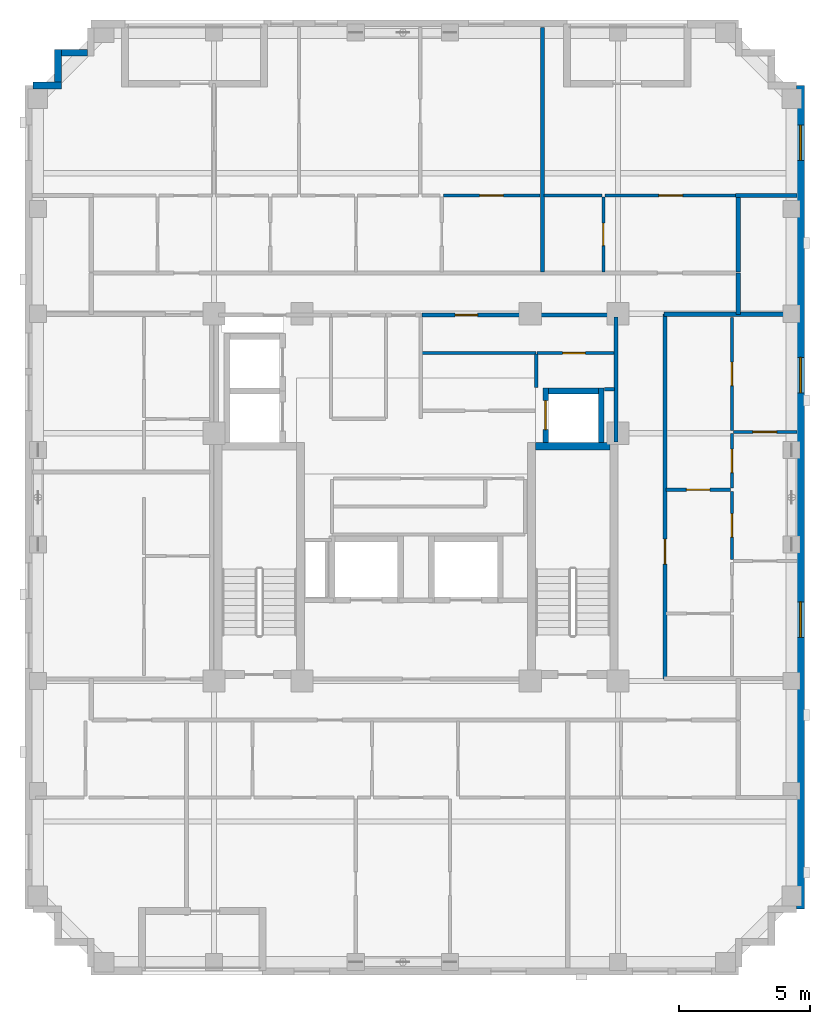
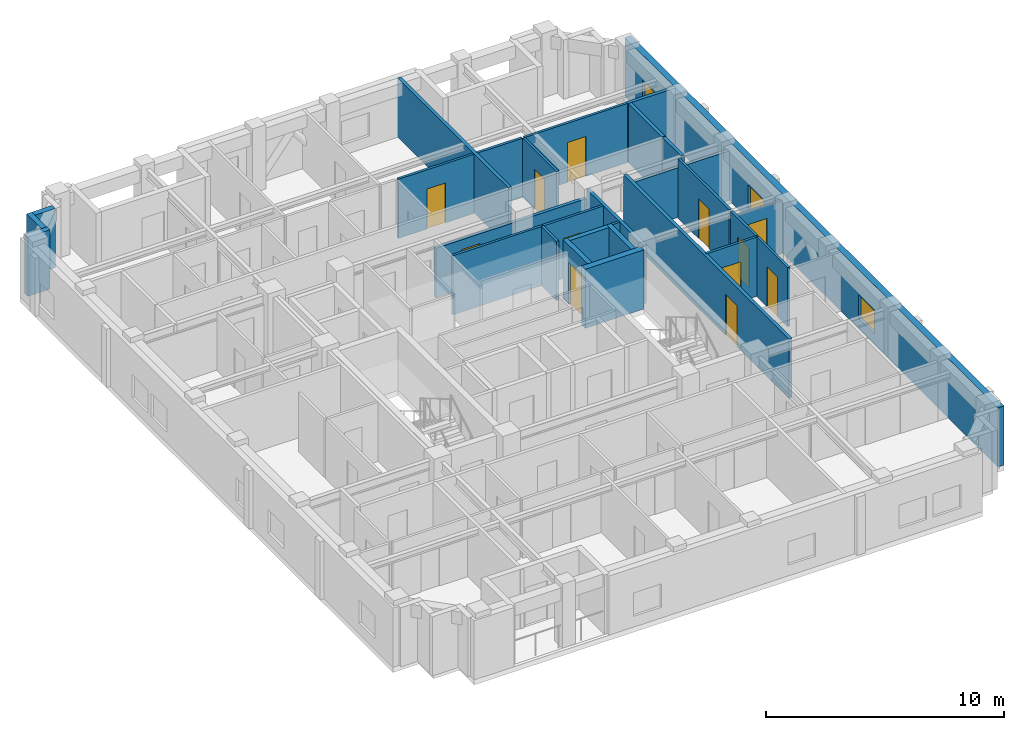
# One storey, part 6 of 10: 29 walls, 12 doors, 3 windows, 15 openings.
"""IFC4 building model written with IfcOpenShell, lengths in metres."""

from ifc_helpers import new_model, si_unit, derived_unit, direction, frame, frame_2d, origin, place, context, subcontext, project, spatial, rectangle, extrude, material, layer, layer_set, type_object, element, fill, save


model = new_model("IFC4")

# Units and contexts
model_context = context("Model", 3, precision=1e-05, world=origin(), true_north=direction((0.0, 1.0)))
body_context = subcontext(model_context, "Body", "Model", "MODEL_VIEW")
ifc_project = project(units=[si_unit("LENGTHUNIT", "METRE"), si_unit("AREAUNIT", "SQUARE_METRE"), si_unit("VOLUMEUNIT", "CUBIC_METRE"), si_unit("PLANEANGLEUNIT", "RADIAN"), si_unit("MASSUNIT", "GRAM", prefix="KILO"), derived_unit("THERMALTRANSMITTANCEUNIT", [(si_unit("MASSUNIT", "GRAM", prefix="KILO"), 1), (si_unit("TIMEUNIT", "SECOND"), -3), (si_unit("THERMODYNAMICTEMPERATUREUNIT", "KELVIN"), -1)])], contexts=[model_context])

# Site, building, storey
site_placement = place(None, origin())
site = spatial("IfcSite", under=ifc_project, at=site_placement, CompositionType="ELEMENT")
building_placement = place(site_placement, origin())
building = spatial("IfcBuilding", under=site, at=building_placement, Name="Korrvale Station Residences", CompositionType="ELEMENT")
storey_placement = place(building_placement, frame((0.0, 0.0, 200.800048828125)))
storey = spatial("IfcBuildingStorey", under=building, at=storey_placement, Name="L58", CompositionType="ELEMENT", Elevation=200.800048828125)

# Walls
ifc_material_1 = material(Name="Concrete C50/60", Category="concrete")
ifc_layer_1 = layer(ifc_material_1, 0.300048828125, Name="Concrete C50/60")
ifc_layer_set_1 = layer_set([ifc_layer_1], Name="Concrete C50/60")
wall_type_1 = type_object("IfcWallType", Name="WAL-CORE-300-C50", PredefinedType="SHEAR", material=ifc_layer_set_1)
wall_1_placement = place(storey_placement, frame((30.050048828125, 23.949951171875, 0.0), z_axis=(0.0, 0.0, 1.0), x_axis=(1.0, 0.0, 0.0)))
element("IfcWall", 1, at=wall_1_placement, inside=storey, type_object=wall_type_1, Name="L58 ST-2 Core Shear Wall North", PredefinedType="SHEAR", context=body_context, shape_type="SweptSolid", body=[
    extrude(rectangle(XDim=2.849853515625, YDim=0.300048828125, at=frame_2d((1.4248046875, 0.0))), origin(), (0.0, 0.0, 1.0), 3.0400390625),
])
ifc_material_2 = material(Name="Precast concrete C45/55", Category="concrete")
ifc_layer_2 = layer(ifc_material_2, 0.260009765625, Name="Precast concrete C45/55")
ifc_layer_set_2 = layer_set([ifc_layer_2], Name="Precast concrete C45/55")
wall_type_2 = type_object("IfcWallType", Name="WAL-EXT-LOG260", PredefinedType="SOLIDWALL", material=ifc_layer_set_2)
wall_2_placement = place(storey_placement, frame((10.902099609375, 37.699951171875, 0.0), z_axis=(0.0, 0.0, 1.0), x_axis=(1.0, 0.0, 0.0)))
element("IfcWall", 2, at=wall_2_placement, inside=storey, type_object=wall_type_2, Name="L58 Serrated Corner Precast Step NW-1", PredefinedType="SOLIDWALL", context=body_context, shape_type="SweptSolid", body=[
    extrude(rectangle(XDim=1.077880859375, YDim=0.260009765625, at=frame_2d((0.5390625, 0.0))), origin(), (0.0, 0.0, 1.0), 3.0400390625),
])
wall_3_placement = place(storey_placement, frame((11.85009765625, 37.83203125, 0.0), z_axis=(0.0, 0.0, 1.0), x_axis=(0.0, 1.0, 0.0)))
element("IfcWall", 3, at=wall_3_placement, inside=storey, type_object=wall_type_2, Name="L58 Serrated Corner Precast Step NW-2", PredefinedType="SOLIDWALL", context=body_context, shape_type="SweptSolid", body=[
    extrude(rectangle(XDim=1.248046875, YDim=0.260009765625, at=frame_2d((0.6240234375, 0.0))), origin(), (0.0, 0.0, 1.0), 3.0400390625),
])
wall_4_placement = place(storey_placement, frame((11.98193359375, 38.949951171875, 0.0), z_axis=(0.0, 0.0, 1.0), x_axis=(1.0, 0.0, 0.0)))
element("IfcWall", 4, at=wall_4_placement, inside=storey, type_object=wall_type_2, Name="L58 Serrated Corner Precast Step NW-3", PredefinedType="SOLIDWALL", context=body_context, shape_type="SweptSolid", body=[
    extrude(rectangle(XDim=0.986083984375, YDim=0.260009765625, at=frame_2d((0.4931640625, 0.0))), origin(), (0.0, 0.0, 1.0), 3.0400390625),
])

# Wall, openings, windows
ifc_layer_3 = layer(ifc_material_2, 0.300048828125, Name="Precast concrete C45/55")
ifc_layer_set_3 = layer_set([ifc_layer_3], Name="Precast concrete C45/55")
wall_type_3 = type_object("IfcWallType", Name="WAL-EXT-PC300", PredefinedType="SOLIDWALL", material=ifc_layer_set_3)
wall_5_placement = place(storey_placement, frame((40.14990234375, 37.699951171875, 0.0), z_axis=(0.0, 0.0, 1.0), x_axis=(0.0, -1.0, 0.0)))
wall_5 = element("IfcWall", 5, at=wall_5_placement, inside=storey, type_object=wall_type_3, Name="L58 East Exterior Precast Wall 1", PredefinedType="SOLIDWALL", context=body_context, shape_type="SweptSolid", body=[
    extrude(rectangle(XDim=31.39990234375, YDim=0.300048828125, at=frame_2d((15.699951171875, 0.0))), origin(), (0.0, 0.0, 1.0), 3.0400390625),
])
opening_1_placement = place(wall_5_placement, frame((1.50390625, 0.0, 0.550048828125)))
opening_1 = element("IfcOpeningElement", 6, at=opening_1_placement, cuts=wall_5, Name="Opening W-10", PredefinedType="OPENING", context=body_context, shape_type="SweptSolid", body=[
    extrude(rectangle(XDim=1.35009765625, YDim=1.199951171875, at=frame_2d((0.675048828125, 0.60009765625))), frame((0.0, 0.16015625, 0.0), z_axis=(0.0, -1.0, 0.0), x_axis=(1.0, 0.0, 0.0)), (0.0, 0.0, 1.0), 0.320068359375),
])
opening_2_placement = place(wall_5_placement, frame((19.68310546875, 0.0, 0.550048828125)))
opening_2 = element("IfcOpeningElement", 7, at=opening_2_placement, cuts=wall_5, Name="Opening W-10", PredefinedType="OPENING", context=body_context, shape_type="SweptSolid", body=[
    extrude(rectangle(XDim=1.35009765625, YDim=1.199951171875, at=frame_2d((0.675048828125, 0.60009765625))), frame((0.0, 0.16015625, 0.0), z_axis=(0.0, -1.0, 0.0), x_axis=(1.0, 0.0, 0.0)), (0.0, 0.0, 1.0), 0.320068359375),
])
opening_3_placement = place(wall_5_placement, frame((10.366943359375, 0.0, 0.550048828125)))
opening_3 = element("IfcOpeningElement", 8, at=opening_3_placement, cuts=wall_5, Name="Opening W-10", PredefinedType="OPENING", context=body_context, shape_type="SweptSolid", body=[
    extrude(rectangle(XDim=1.35009765625, YDim=1.199951171875, at=frame_2d((0.675048828125, 0.60009765625))), frame((0.0, 0.16015625, 0.0), z_axis=(0.0, -1.0, 0.0), x_axis=(1.0, 0.0, 0.0)), (0.0, 0.0, 1.0), 0.320068359375),
])
ifc_material_3 = material(Name="Thermally broken aluminium frame with triple low-e glazing", Category="aluminium")
window_type = type_object("IfcWindowType", Name="WIN-W10", PartitioningType="SINGLE_PANEL", PredefinedType="WINDOW", material=ifc_material_3)
window_1_placement = place(opening_1_placement, origin())
window_1 = element("IfcWindow", 9, at=window_1_placement, inside=storey, type_object=window_type, Name="L58 Punched Window 10", OverallHeight=1.199951171875, OverallWidth=1.35009765625, PartitioningType="SINGLE_PANEL", PredefinedType="WINDOW", context=body_context, shape_type="SweptSolid", body=[
    extrude(rectangle(XDim=1.35009765625, YDim=1.199951171875, at=frame_2d((0.675048828125, 0.60009765625))), frame((0.0, 0.030029296875, 0.0), z_axis=(0.0, -1.0, 0.0), x_axis=(1.0, 0.0, 0.0)), (0.0, 0.0, 1.0), 0.06005859375),
])
fill(opening_1, window_1)
window_2_placement = place(opening_2_placement, origin())
window_2 = element("IfcWindow", 10, at=window_2_placement, inside=storey, type_object=window_type, Name="L58 Punched Window 15", OverallHeight=1.199951171875, OverallWidth=1.35009765625, PartitioningType="SINGLE_PANEL", PredefinedType="WINDOW", context=body_context, shape_type="SweptSolid", body=[
    extrude(rectangle(XDim=1.35009765625, YDim=1.199951171875, at=frame_2d((0.675048828125, 0.60009765625))), frame((0.0, 0.030029296875, 0.0), z_axis=(0.0, -1.0, 0.0), x_axis=(1.0, 0.0, 0.0)), (0.0, 0.0, 1.0), 0.06005859375),
])
fill(opening_2, window_2)
window_3_placement = place(opening_3_placement, origin())
window_3 = element("IfcWindow", 11, at=window_3_placement, inside=storey, type_object=window_type, Name="L58 Punched Window 16", OverallHeight=1.199951171875, OverallWidth=1.35009765625, PartitioningType="SINGLE_PANEL", PredefinedType="WINDOW", context=body_context, shape_type="SweptSolid", body=[
    extrude(rectangle(XDim=1.35009765625, YDim=1.199951171875, at=frame_2d((0.675048828125, 0.60009765625))), frame((0.0, 0.030029296875, 0.0), z_axis=(0.0, -1.0, 0.0), x_axis=(1.0, 0.0, 0.0)), (0.0, 0.0, 1.0), 0.06005859375),
])
fill(opening_3, window_3)

# Walls
ifc_material_4 = material(Name="Acoustic steel-stud gypsum board partition", Category="steel")
ifc_layer_4 = layer(ifc_material_4, 0.1201171875, Name="Acoustic steel-stud gypsum board partition")
ifc_layer_set_4 = layer_set([ifc_layer_4], Name="Acoustic steel-stud gypsum board partition")
wall_type_4 = type_object("IfcWallType", Name="WAL-PART-125", PredefinedType="PARTITIONING", material=ifc_layer_set_4)
wall_6_placement = place(storey_placement, frame((30.080078125, 26.179931640625, 0.0), z_axis=(0.0, 0.0, 1.0), x_axis=(0.0, 1.0, 0.0)))
element("IfcWall", 12, at=wall_6_placement, inside=storey, type_object=wall_type_4, Name="L58 Core Partition CW-CS-W", PredefinedType="PARTITIONING", context=body_context, shape_type="SweptSolid", body=[
    extrude(rectangle(XDim=1.280029296875, YDim=0.1201171875, at=frame_2d((0.64013671875, 0.0))), origin(), (0.0, 0.0, 1.0), 3.0400390625),
])
wall_7_placement = place(storey_placement, frame((32.679931640625, 26.1201171875, 0.0), z_axis=(0.0, 0.0, 1.0), x_axis=(1.0, 0.0, 0.0)))
element("IfcWall", 13, at=wall_7_placement, inside=storey, type_object=wall_type_4, Name="L58 Core Partition CW-CS-S", PredefinedType="PARTITIONING", context=body_context, shape_type="SweptSolid", body=[
    extrude(rectangle(XDim=0.380126953125, YDim=0.1201171875, at=frame_2d((0.18994140625, 0.0))), origin(), (0.0, 0.0, 1.0), 3.0400390625),
])

# Wall, opening, door
wall_8_placement = place(storey_placement, frame((30.1201171875, 27.5, 0.0), z_axis=(0.0, 0.0, 1.0), x_axis=(1.0, 0.0, 0.0)))
wall_8 = element("IfcWall", 14, at=wall_8_placement, inside=storey, type_object=wall_type_4, Name="L58 Core Partition CW-CS-H", PredefinedType="PARTITIONING", context=body_context, shape_type="SweptSolid", body=[
    extrude(rectangle(XDim=2.919921875, YDim=0.1201171875, at=frame_2d((1.4599609375, 0.0))), origin(), (0.0, 0.0, 1.0), 3.0400390625),
])
opening_4_placement = place(wall_8_placement, frame((0.969970703125, 0.0, 0.0)))
opening_4 = element("IfcOpeningElement", 15, at=opening_4_placement, cuts=wall_8, Name="Opening DB-860", PredefinedType="OPENING", context=body_context, shape_type="SweptSolid", body=[
    extrude(rectangle(XDim=0.860107421875, YDim=2.050048828125, at=frame_2d((0.43017578125, 1.02490234375))), frame((0.0, 0.070068359375, 0.0), z_axis=(0.0, -1.0, 0.0), x_axis=(1.0, 0.0, 0.0)), (0.0, 0.0, 1.0), 0.14013671875),
])
ifc_material_5 = material(Name="Moisture-resistant solid-core bathroom door", Category="timber")
door_type_1 = type_object("IfcDoorType", Name="DR-BATH-860", OperationType="NOTDEFINED", PredefinedType="DOOR", material=ifc_material_5)
door_1_placement = place(opening_4_placement, origin())
door_1 = element("IfcDoor", 16, at=door_1_placement, inside=storey, type_object=door_type_1, Name="L58 Mail Sorting Inner Door", OperationType="SINGLE_SWING_LEFT", OverallHeight=2.050048828125, OverallWidth=0.860107421875, PredefinedType="DOOR", context=body_context, shape_type="SweptSolid", body=[
    extrude(rectangle(XDim=0.860107421875, YDim=2.050048828125, at=frame_2d((0.43017578125, 1.02490234375))), frame((0.0, 0.02490234375, 0.0), z_axis=(0.0, -1.0, 0.0), x_axis=(1.0, 0.0, 0.0)), (0.0, 0.0, 1.0), 0.050048828125),
])
fill(opening_4, door_1)

# Wall
wall_9_placement = place(storey_placement, frame((25.719970703125, 27.5, 0.0), z_axis=(0.0, 0.0, 1.0), x_axis=(1.0, 0.0, 0.0)))
element("IfcWall", 17, at=wall_9_placement, inside=storey, type_object=wall_type_4, Name="L58 Core Partition CW-FPLE-H", PredefinedType="PARTITIONING", context=body_context, shape_type="SweptSolid", body=[
    extrude(rectangle(XDim=4.360107421875, YDim=0.1201171875, at=frame_2d((2.18017578125, 0.0))), origin(), (0.0, 0.0, 1.0), 3.0400390625),
])

# Wall, opening, door
wall_10_placement = place(storey_placement, frame((26.5400390625, 33.510009765625, 0.0), z_axis=(0.0, 0.0, 1.0), x_axis=(1.0, 0.0, 0.0)))
wall_10 = element("IfcWall", 18, at=wall_10_placement, inside=storey, type_object=wall_type_4, Name="L58 Suite Partition U04-H48", PredefinedType="PARTITIONING", context=body_context, shape_type="SweptSolid", body=[
    extrude(rectangle(XDim=3.677001953125, YDim=0.1201171875, at=frame_2d((1.83837890625, 0.0))), origin(), (0.0, 0.0, 1.0), 3.0400390625),
])
opening_5_placement = place(wall_10_placement, frame((1.387939453125, 0.0, 0.0)))
opening_5 = element("IfcOpeningElement", 19, at=opening_5_placement, cuts=wall_10, Name="Opening DI-900", PredefinedType="OPENING", context=body_context, shape_type="SweptSolid", body=[
    extrude(rectangle(XDim=0.89990234375, YDim=2.050048828125, at=frame_2d((0.449951171875, 1.02490234375))), frame((0.0, 0.070068359375, 0.0), z_axis=(0.0, -1.0, 0.0), x_axis=(1.0, 0.0, 0.0)), (0.0, 0.0, 1.0), 0.14013671875),
])
ifc_material_6 = material(Name="Painted solid-core timber interior room door", Category="wood")
door_type_2 = type_object("IfcDoorType", Name="DR-INT-900", OperationType="NOTDEFINED", PredefinedType="DOOR", material=ifc_material_6)
door_2_placement = place(opening_5_placement, origin())
door_2 = element("IfcDoor", 20, at=door_2_placement, inside=storey, type_object=door_type_2, Name="L58 Apartment 2BR L58-U04 Wardrobe Storage Room Door", OperationType="SINGLE_SWING_LEFT", OverallHeight=2.050048828125, OverallWidth=0.89990234375, PredefinedType="DOOR", context=body_context, shape_type="SweptSolid", body=[
    extrude(rectangle(XDim=0.89990234375, YDim=2.050048828125, at=frame_2d((0.449951171875, 1.02490234375))), frame((0.0, 0.02490234375, 0.0), z_axis=(0.0, -1.0, 0.0), x_axis=(1.0, 0.0, 0.0)), (0.0, 0.0, 1.0), 0.050048828125),
])
fill(opening_5, door_2)

wall_11_placement = place(storey_placement, frame((32.639892578125, 30.60009765625, 0.0), z_axis=(0.0, 0.0, 1.0), x_axis=(0.0, 1.0, 0.0)))
wall_11 = element("IfcWall", 21, at=wall_11_placement, inside=storey, type_object=wall_type_4, Name="L58 Suite Partition U05-V01", PredefinedType="PARTITIONING", context=body_context, shape_type="SweptSolid", body=[
    extrude(rectangle(XDim=2.849853515625, YDim=0.1201171875, at=frame_2d((1.4248046875, 0.0))), origin(), (0.0, 0.0, 1.0), 3.0400390625),
])
opening_6_placement = place(wall_11_placement, frame((0.9951171875, 0.0, 0.0)))
opening_6 = element("IfcOpeningElement", 22, at=opening_6_placement, cuts=wall_11, Name="Opening DB-860", PredefinedType="OPENING", context=body_context, shape_type="SweptSolid", body=[
    extrude(rectangle(XDim=0.860107421875, YDim=2.050048828125, at=frame_2d((0.43017578125, 1.02490234375))), frame((0.0, 0.070068359375, 0.0), z_axis=(0.0, -1.0, 0.0), x_axis=(1.0, 0.0, 0.0)), (0.0, 0.0, 1.0), 0.14013671875),
])
door_3_placement = place(opening_6_placement, origin())
door_3 = element("IfcDoor", 23, at=door_3_placement, inside=storey, type_object=door_type_1, Name="L58 Studio Apartment L58-U05 Bathroom Door", OperationType="SINGLE_SWING_LEFT", OverallHeight=2.050048828125, OverallWidth=0.860107421875, PredefinedType="DOOR", context=body_context, shape_type="SweptSolid", body=[
    extrude(rectangle(XDim=0.860107421875, YDim=2.050048828125, at=frame_2d((0.43017578125, 1.02490234375))), frame((0.0, 0.02490234375, 0.0), z_axis=(0.0, -1.0, 0.0), x_axis=(1.0, 0.0, 0.0)), (0.0, 0.0, 1.0), 0.050048828125),
])
fill(opening_6, door_3)

# Wall
wall_12_placement = place(storey_placement, frame((30.376953125, 33.510009765625, 0.0), z_axis=(0.0, 0.0, 1.0), x_axis=(1.0, 0.0, 0.0)))
element("IfcWall", 24, at=wall_12_placement, inside=storey, type_object=wall_type_4, Name="L58 Suite Partition U05-H02", PredefinedType="PARTITIONING", context=body_context, shape_type="SweptSolid", body=[
    extrude(rectangle(XDim=2.203125, YDim=0.1201171875, at=frame_2d((1.1015625, 0.0))), origin(), (0.0, 0.0, 1.0), 3.0400390625),
])

# Wall, opening, door
wall_13_placement = place(storey_placement, frame((32.699951171875, 33.510009765625, 0.0), z_axis=(0.0, 0.0, 1.0), x_axis=(1.0, 0.0, 0.0)))
wall_13 = element("IfcWall", 25, at=wall_13_placement, inside=storey, type_object=wall_type_4, Name="L58 Suite Partition U05-H12", PredefinedType="PARTITIONING", context=body_context, shape_type="SweptSolid", body=[
    extrude(rectangle(XDim=5.02001953125, YDim=0.1201171875, at=frame_2d((2.510009765625, 0.0))), origin(), (0.0, 0.0, 1.0), 3.0400390625),
])
opening_7_placement = place(wall_13_placement, frame((2.06005859375, 0.0, 0.0)))
opening_7 = element("IfcOpeningElement", 26, at=opening_7_placement, cuts=wall_13, Name="Opening DI-900", PredefinedType="OPENING", context=body_context, shape_type="SweptSolid", body=[
    extrude(rectangle(XDim=0.89990234375, YDim=2.050048828125, at=frame_2d((0.449951171875, 1.02490234375))), frame((0.0, 0.070068359375, 0.0), z_axis=(0.0, -1.0, 0.0), x_axis=(1.0, 0.0, 0.0)), (0.0, 0.0, 1.0), 0.14013671875),
])
door_4_placement = place(opening_7_placement, origin())
door_4 = element("IfcDoor", 27, at=door_4_placement, inside=storey, type_object=door_type_2, Name="L58 Studio Apartment L58-U05 Kitchen Door", OperationType="SINGLE_SWING_RIGHT", OverallHeight=2.050048828125, OverallWidth=0.89990234375, PredefinedType="DOOR", context=body_context, shape_type="SweptSolid", body=[
    extrude(rectangle(XDim=0.89990234375, YDim=2.050048828125, at=frame_2d((0.449951171875, 1.02490234375))), frame((0.0, 0.02490234375, 0.0), z_axis=(0.0, -1.0, 0.0), x_axis=(1.0, 0.0, 0.0)), (0.0, 0.0, 1.0), 0.050048828125),
])
fill(opening_7, door_4)

wall_14_placement = place(storey_placement, frame((35.030029296875, 22.2900390625, 0.0), z_axis=(0.0, 0.0, 1.0), x_axis=(1.0, 0.0, 0.0)))
wall_14 = element("IfcWall", 28, at=wall_14_placement, inside=storey, type_object=wall_type_4, Name="L58 Suite Partition U08-H02", PredefinedType="PARTITIONING", context=body_context, shape_type="SweptSolid", body=[
    extrude(rectangle(XDim=2.449951171875, YDim=0.1201171875, at=frame_2d((1.22509765625, 0.0))), origin(), (0.0, 0.0, 1.0), 3.0400390625),
])
opening_8_placement = place(wall_14_placement, frame((0.77490234375, 0.0, 0.0)))
opening_8 = element("IfcOpeningElement", 29, at=opening_8_placement, cuts=wall_14, Name="Opening DI-900", PredefinedType="OPENING", context=body_context, shape_type="SweptSolid", body=[
    extrude(rectangle(XDim=0.89990234375, YDim=2.050048828125, at=frame_2d((0.449951171875, 1.02490234375))), frame((0.0, 0.070068359375, 0.0), z_axis=(0.0, -1.0, 0.0), x_axis=(1.0, 0.0, 0.0)), (0.0, 0.0, 1.0), 0.14013671875),
])
door_5_placement = place(opening_8_placement, origin())
door_5 = element("IfcDoor", 30, at=door_5_placement, inside=storey, type_object=door_type_2, Name="L58 Apartment 2BR L58-U08 Wardrobe Storage Room Door", OperationType="SINGLE_SWING_LEFT", OverallHeight=2.050048828125, OverallWidth=0.89990234375, PredefinedType="DOOR", context=body_context, shape_type="SweptSolid", body=[
    extrude(rectangle(XDim=0.89990234375, YDim=2.050048828125, at=frame_2d((0.449951171875, 1.02490234375))), frame((0.0, 0.02490234375, 0.0), z_axis=(0.0, -1.0, 0.0), x_axis=(1.0, 0.0, 0.0)), (0.0, 0.0, 1.0), 0.050048828125),
])
fill(opening_8, door_5)

wall_15_placement = place(storey_placement, frame((37.5400390625, 22.35009765625, 0.0), z_axis=(0.0, 0.0, 1.0), x_axis=(0.0, 1.0, 0.0)))
wall_15 = element("IfcWall", 31, at=wall_15_placement, inside=storey, type_object=wall_type_4, Name="L58 Suite Partition U08-V04", PredefinedType="PARTITIONING", context=body_context, shape_type="SweptSolid", body=[
    extrude(rectangle(XDim=2.081787109375, YDim=0.1201171875, at=frame_2d((1.041015625, 0.0))), origin(), (0.0, 0.0, 1.0), 3.0400390625),
])
opening_9_placement = place(wall_15_placement, frame((0.591064453125, 0.0, 0.0)))
opening_9 = element("IfcOpeningElement", 32, at=opening_9_placement, cuts=wall_15, Name="Opening DI-900", PredefinedType="OPENING", context=body_context, shape_type="SweptSolid", body=[
    extrude(rectangle(XDim=0.89990234375, YDim=2.050048828125, at=frame_2d((0.449951171875, 1.02490234375))), frame((0.0, 0.070068359375, 0.0), z_axis=(0.0, -1.0, 0.0), x_axis=(1.0, 0.0, 0.0)), (0.0, 0.0, 1.0), 0.14013671875),
])
door_6_placement = place(opening_9_placement, origin())
door_6 = element("IfcDoor", 33, at=door_6_placement, inside=storey, type_object=door_type_2, Name="L58 Apartment 2BR L58-U08 Wardrobe Storage Room Door", OperationType="SINGLE_SWING_RIGHT", OverallHeight=2.050048828125, OverallWidth=0.89990234375, PredefinedType="DOOR", context=body_context, shape_type="SweptSolid", body=[
    extrude(rectangle(XDim=0.89990234375, YDim=2.050048828125, at=frame_2d((0.449951171875, 1.02490234375))), frame((0.0, 0.02490234375, 0.0), z_axis=(0.0, -1.0, 0.0), x_axis=(1.0, 0.0, 0.0)), (0.0, 0.0, 1.0), 0.050048828125),
])
fill(opening_9, door_6)

wall_16_placement = place(storey_placement, frame((37.5400390625, 24.552001953125, 0.0), z_axis=(0.0, 0.0, 1.0), x_axis=(0.0, 1.0, 0.0)))
wall_16 = element("IfcWall", 34, at=wall_16_placement, inside=storey, type_object=wall_type_4, Name="L58 Suite Partition U08-V05", PredefinedType="PARTITIONING", context=body_context, shape_type="SweptSolid", body=[
    extrude(rectangle(XDim=4.30810546875, YDim=0.1201171875, at=frame_2d((2.154052734375, 0.0))), origin(), (0.0, 0.0, 1.0), 3.0400390625),
])
opening_10_placement = place(wall_16_placement, frame((1.7041015625, 0.0, 0.0)))
opening_10 = element("IfcOpeningElement", 35, at=opening_10_placement, cuts=wall_16, Name="Opening DI-900", PredefinedType="OPENING", context=body_context, shape_type="SweptSolid", body=[
    extrude(rectangle(XDim=0.89990234375, YDim=2.050048828125, at=frame_2d((0.449951171875, 1.02490234375))), frame((0.0, 0.070068359375, 0.0), z_axis=(0.0, -1.0, 0.0), x_axis=(1.0, 0.0, 0.0)), (0.0, 0.0, 1.0), 0.14013671875),
])
door_7_placement = place(opening_10_placement, origin())
door_7 = element("IfcDoor", 36, at=door_7_placement, inside=storey, type_object=door_type_2, Name="L58 Apartment 2BR L58-U08 Wardrobe Storage Room Door", OperationType="SINGLE_SWING_LEFT", OverallHeight=2.050048828125, OverallWidth=0.89990234375, PredefinedType="DOOR", context=body_context, shape_type="SweptSolid", body=[
    extrude(rectangle(XDim=0.89990234375, YDim=2.050048828125, at=frame_2d((0.449951171875, 1.02490234375))), frame((0.0, 0.02490234375, 0.0), z_axis=(0.0, -1.0, 0.0), x_axis=(1.0, 0.0, 0.0)), (0.0, 0.0, 1.0), 0.050048828125),
])
fill(opening_10, door_7)

wall_17_placement = place(storey_placement, frame((37.5400390625, 19.637939453125, 0.0), z_axis=(0.0, 0.0, 1.0), x_axis=(0.0, 1.0, 0.0)))
wall_17 = element("IfcWall", 37, at=wall_17_placement, inside=storey, type_object=wall_type_4, Name="L58 Suite Partition U08-V24", PredefinedType="PARTITIONING", context=body_context, shape_type="SweptSolid", body=[
    extrude(rectangle(XDim=2.592041015625, YDim=0.1201171875, at=frame_2d((1.2958984375, 0.0))), origin(), (0.0, 0.0, 1.0), 3.0400390625),
])
opening_11_placement = place(wall_17_placement, frame((0.845947265625, 0.0, 0.0)))
opening_11 = element("IfcOpeningElement", 38, at=opening_11_placement, cuts=wall_17, Name="Opening DI-900", PredefinedType="OPENING", context=body_context, shape_type="SweptSolid", body=[
    extrude(rectangle(XDim=0.89990234375, YDim=2.050048828125, at=frame_2d((0.449951171875, 1.02490234375))), frame((0.0, 0.070068359375, 0.0), z_axis=(0.0, -1.0, 0.0), x_axis=(1.0, 0.0, 0.0)), (0.0, 0.0, 1.0), 0.14013671875),
])
door_8_placement = place(opening_11_placement, origin())
door_8 = element("IfcDoor", 39, at=door_8_placement, inside=storey, type_object=door_type_2, Name="L58 Apartment 2BR L58-U08 Kitchen Door", OperationType="SINGLE_SWING_RIGHT", OverallHeight=2.050048828125, OverallWidth=0.89990234375, PredefinedType="DOOR", context=body_context, shape_type="SweptSolid", body=[
    extrude(rectangle(XDim=0.89990234375, YDim=2.050048828125, at=frame_2d((0.449951171875, 1.02490234375))), frame((0.0, 0.02490234375, 0.0), z_axis=(0.0, -1.0, 0.0), x_axis=(1.0, 0.0, 0.0)), (0.0, 0.0, 1.0), 0.050048828125),
])
fill(opening_11, door_8)

wall_18_placement = place(storey_placement, frame((37.60009765625, 24.491943359375, 0.0), z_axis=(0.0, 0.0, 1.0), x_axis=(1.0, 0.0, 0.0)))
wall_18 = element("IfcWall", 40, at=wall_18_placement, inside=storey, type_object=wall_type_4, Name="L58 Suite Partition U08-H45", PredefinedType="PARTITIONING", context=body_context, shape_type="SweptSolid", body=[
    extrude(rectangle(XDim=2.419921875, YDim=0.1201171875, at=frame_2d((1.2099609375, 0.0))), origin(), (0.0, 0.0, 1.0), 2.721923828125),
])
opening_12_placement = place(wall_18_placement, frame((0.7451171875, 0.0, 0.0)))
opening_12 = element("IfcOpeningElement", 41, at=opening_12_placement, cuts=wall_18, Name="Opening DI-900", PredefinedType="OPENING", context=body_context, shape_type="SweptSolid", body=[
    extrude(rectangle(XDim=0.89990234375, YDim=2.050048828125, at=frame_2d((0.449951171875, 1.02490234375))), frame((0.0, 0.070068359375, 0.0), z_axis=(0.0, -1.0, 0.0), x_axis=(1.0, 0.0, 0.0)), (0.0, 0.0, 1.0), 0.14013671875),
])
door_9_placement = place(opening_12_placement, origin())
door_9 = element("IfcDoor", 42, at=door_9_placement, inside=storey, type_object=door_type_2, Name="L58 Apartment 2BR L58-U08 Living and Dining Room Door", OperationType="SINGLE_SWING_RIGHT", OverallHeight=2.050048828125, OverallWidth=0.89990234375, PredefinedType="DOOR", context=body_context, shape_type="SweptSolid", body=[
    extrude(rectangle(XDim=0.89990234375, YDim=2.050048828125, at=frame_2d((0.449951171875, 1.02490234375))), frame((0.0, 0.02490234375, 0.0), z_axis=(0.0, -1.0, 0.0), x_axis=(1.0, 0.0, 0.0)), (0.0, 0.0, 1.0), 0.050048828125),
])
fill(opening_12, door_9)

# Wall
ifc_material_7 = material(Name="Fire-rated twin-stud gypsum and mineral wool shaftwall assembly", Category="gypsum")
ifc_layer_5 = layer(ifc_material_7, 0.159912109375, Name="Fire-rated twin-stud gypsum and mineral wool shaftwall assembly")
ifc_layer_set_5 = layer_set([ifc_layer_5], Name="Fire-rated twin-stud gypsum and mineral wool shaftwall assembly")
wall_type_5 = type_object("IfcWallType", Name="WAL-PART-200", PredefinedType="PARTITIONING", material=ifc_layer_set_5)
wall_19_placement = place(storey_placement, frame((33.1201171875, 24.1201171875, 0.0), z_axis=(0.0, 0.0, 1.0), x_axis=(0.0, 1.0, 0.0)))
element("IfcWall", 43, at=wall_19_placement, inside=storey, type_object=wall_type_5, Name="L58 Core Partition CW-E-N", PredefinedType="PARTITIONING", context=body_context, shape_type="SweptSolid", body=[
    extrude(rectangle(XDim=4.759765625, YDim=0.159912109375, at=frame_2d((2.3798828125, 0.0))), origin(), (0.0, 0.0, 1.0), 3.0400390625),
])

# Wall, opening, door
wall_20_placement = place(storey_placement, frame((25.719970703125, 28.949951171875, 0.0), z_axis=(0.0, 0.0, 1.0), x_axis=(1.0, 0.0, 0.0)))
wall_20 = element("IfcWall", 44, at=wall_20_placement, inside=storey, type_object=wall_type_5, Name="L58 Core Partition CW-FPLE-N", PredefinedType="PARTITIONING", context=body_context, shape_type="SweptSolid", body=[
    extrude(rectangle(XDim=7.320068359375, YDim=0.159912109375, at=frame_2d((3.66015625, 0.0))), origin(), (0.0, 0.0, 1.0), 2.555908203125),
])
opening_13_placement = place(wall_20_placement, frame((1.27001953125, 0.0, 0.0)))
opening_13 = element("IfcOpeningElement", 45, at=opening_13_placement, cuts=wall_20, Name="Opening DB-860", PredefinedType="OPENING", context=body_context, shape_type="SweptSolid", body=[
    extrude(rectangle(XDim=0.860107421875, YDim=2.050048828125, at=frame_2d((0.43017578125, 1.02490234375))), frame((0.0, 0.08984375, 0.0), z_axis=(0.0, -1.0, 0.0), x_axis=(1.0, 0.0, 0.0)), (0.0, 0.0, 1.0), 0.179931640625),
])
door_10_placement = place(opening_13_placement, origin())
door_10 = element("IfcDoor", 46, at=door_10_placement, inside=storey, type_object=door_type_1, Name="L58 Luggage Pantry Door", OperationType="SINGLE_SWING_RIGHT", OverallHeight=2.050048828125, OverallWidth=0.860107421875, PredefinedType="DOOR", context=body_context, shape_type="SweptSolid", body=[
    extrude(rectangle(XDim=0.860107421875, YDim=2.050048828125, at=frame_2d((0.43017578125, 1.02490234375))), frame((0.0, 0.02490234375, 0.0), z_axis=(0.0, -1.0, 0.0), x_axis=(1.0, 0.0, 0.0)), (0.0, 0.0, 1.0), 0.050048828125),
])
fill(opening_13, door_10)

# Walls
wall_21_placement = place(storey_placement, frame((37.780029296875, 28.97998046875, 0.0), z_axis=(0.0, 0.0, 1.0), x_axis=(0.0, 1.0, 0.0)))
element("IfcWall", 47, at=wall_21_placement, inside=storey, type_object=wall_type_5, Name="L58 Corridor North East Cap", PredefinedType="PARTITIONING", context=body_context, shape_type="SweptSolid", body=[
    extrude(rectangle(XDim=1.580078125, YDim=0.159912109375, at=frame_2d((0.7900390625, 0.0))), origin(), (0.0, 0.0, 1.0), 3.0400390625),
])
wall_22_placement = place(storey_placement, frame((34.949951171875, 28.97998046875, 0.0), z_axis=(0.0, 0.0, 1.0), x_axis=(1.0, 0.0, 0.0)))
element("IfcWall", 48, at=wall_22_placement, inside=storey, type_object=wall_type_5, Name="L58 East Wing North Corridor Wall", PredefinedType="PARTITIONING", context=body_context, shape_type="SweptSolid", body=[
    extrude(rectangle(XDim=5.070068359375, YDim=0.159912109375, at=frame_2d((2.53515625, 0.0))), origin(), (0.0, 0.0, 1.0), 2.555908203125),
])
wall_23_placement = place(storey_placement, frame((37.679931640625, 33.510009765625, 0.0), z_axis=(0.0, 0.0, 1.0), x_axis=(1.0, 0.0, 0.0)))
element("IfcWall", 49, at=wall_23_placement, inside=storey, type_object=wall_type_5, Name="L58 Corner Step Wall U05-R", PredefinedType="PARTITIONING", context=body_context, shape_type="SweptSolid", body=[
    extrude(rectangle(XDim=2.340087890625, YDim=0.159912109375, at=frame_2d((1.169921875, 0.0))), origin(), (0.0, 0.0, 1.0), 3.0400390625),
])
wall_24_placement = place(storey_placement, frame((37.780029296875, 30.60009765625, 0.0), z_axis=(0.0, 0.0, 1.0), x_axis=(0.0, 1.0, 0.0)))
element("IfcWall", 50, at=wall_24_placement, inside=storey, type_object=wall_type_5, Name="L58 Corner Step Cheek U05-R", PredefinedType="PARTITIONING", context=body_context, shape_type="SweptSolid", body=[
    extrude(rectangle(XDim=2.909912109375, YDim=0.159912109375, at=frame_2d((1.455078125, 0.0))), origin(), (0.0, 0.0, 1.0), 3.0400390625),
])
wall_25_placement = place(storey_placement, frame((30.31689453125, 30.60009765625, 0.0), z_axis=(0.0, 0.0, 1.0), x_axis=(0.0, 1.0, 0.0)))
element("IfcWall", 51, at=wall_25_placement, inside=storey, type_object=wall_type_5, Name="L58 Demising Wall U05-W", PredefinedType="PARTITIONING", context=body_context, shape_type="SweptSolid", body=[
    extrude(rectangle(XDim=9.31982421875, YDim=0.159912109375, at=frame_2d((4.659912109375, 0.0))), origin(), (0.0, 0.0, 1.0), 3.0400390625),
])

# Wall, opening, door
wall_26_placement = place(storey_placement, frame((34.989990234375, 15.070068359375, 0.0), z_axis=(0.0, 0.0, 1.0), x_axis=(0.0, 1.0, 0.0)))
wall_26 = element("IfcWall", 52, at=wall_26_placement, inside=storey, type_object=wall_type_5, Name="L58 Rated Corridor Wall E", PredefinedType="PARTITIONING", context=body_context, shape_type="SweptSolid", body=[
    extrude(rectangle(XDim=13.929931640625, YDim=0.159912109375, at=frame_2d((6.96484375, 0.0))), origin(), (0.0, 0.0, 1.0), 3.0400390625),
])
opening_14_placement = place(wall_26_placement, frame((4.385009765625, 0.0, 0.0)))
opening_14 = element("IfcOpeningElement", 53, at=opening_14_placement, cuts=wall_26, Name="Opening UD-950", PredefinedType="OPENING", context=body_context, shape_type="SweptSolid", body=[
    extrude(rectangle(XDim=0.949951171875, YDim=2.10009765625, at=frame_2d((0.47509765625, 1.050048828125))), frame((0.0, 0.08984375, 0.0), z_axis=(0.0, -1.0, 0.0), x_axis=(1.0, 0.0, 0.0)), (0.0, 0.0, 1.0), 0.179931640625),
])
ifc_material_8 = material(Name="Solid-core acoustic oak apartment entrance door", Category="timber")
door_type_3 = type_object("IfcDoorType", Name="DR-UNIT-950", OperationType="NOTDEFINED", PredefinedType="DOOR", material=ifc_material_8)
door_11_placement = place(opening_14_placement, origin())
door_11 = element("IfcDoor", 54, at=door_11_placement, inside=storey, type_object=door_type_3, Name="L58 Apartment L58-U08 Entrance Door", OperationType="SINGLE_SWING_RIGHT", OverallHeight=2.10009765625, OverallWidth=0.949951171875, PredefinedType="DOOR", context=body_context, shape_type="SweptSolid", body=[
    extrude(rectangle(XDim=0.949951171875, YDim=2.10009765625, at=frame_2d((0.47509765625, 1.050048828125))), frame((0.0, 0.02490234375, 0.0), z_axis=(0.0, -1.0, 0.0), x_axis=(1.0, 0.0, 0.0)), (0.0, 0.0, 1.0), 0.050048828125),
])
fill(opening_14, door_11)

# Wall
ifc_layer_6 = layer(ifc_material_1, 0.219970703125, Name="Concrete C50/60")
ifc_layer_set_6 = layer_set([ifc_layer_6], Name="Concrete C50/60")
wall_type_6 = type_object("IfcWallType", Name="WAL-SHAFT-220-C50", PredefinedType="SHEAR", material=ifc_layer_set_6)
wall_27_placement = place(storey_placement, frame((30.550048828125, 26.06005859375, 0.0), z_axis=(0.0, 0.0, 1.0), x_axis=(1.0, 0.0, 0.0)))
element("IfcWall", 55, at=wall_27_placement, inside=storey, type_object=wall_type_6, Name="L58 Elevator PH-3 Hoistway Wall North", PredefinedType="SHEAR", context=body_context, shape_type="SweptSolid", body=[
    extrude(rectangle(XDim=1.89990234375, YDim=0.219970703125, at=frame_2d((0.949951171875, 0.0))), origin(), (0.0, 0.0, 1.0), 3.0400390625),
])

# Wall, opening, door
wall_28_placement = place(storey_placement, frame((30.43994140625, 24.10009765625, 0.0), z_axis=(0.0, 0.0, 1.0), x_axis=(0.0, 1.0, 0.0)))
wall_28 = element("IfcWall", 56, at=wall_28_placement, inside=storey, type_object=wall_type_6, Name="L58 Elevator PH-3 Hoistway Wall West", PredefinedType="SHEAR", context=body_context, shape_type="SweptSolid", body=[
    extrude(rectangle(XDim=2.06982421875, YDim=0.219970703125, at=frame_2d((1.034912109375, 0.0))), origin(), (0.0, 0.0, 1.0), 3.0400390625),
])
opening_15_placement = place(wall_28_placement, frame((0.485107421875, 0.0, 0.0)))
opening_15 = element("IfcOpeningElement", 57, at=opening_15_placement, cuts=wall_28, Name="Opening LD-1100", PredefinedType="OPENING", context=body_context, shape_type="SweptSolid", body=[
    extrude(rectangle(XDim=1.10009765625, YDim=2.14990234375, at=frame_2d((0.550048828125, 1.074951171875))), frame((0.0, 0.1201171875, 0.0), z_axis=(0.0, -1.0, 0.0), x_axis=(1.0, 0.0, 0.0)), (0.0, 0.0, 1.0), 0.239990234375),
])
ifc_material_9 = material(Name="Brushed stainless-steel elevator landing sliding door", Category="steel")
door_type_4 = type_object("IfcDoorType", Name="DR-LIFT-1100", OperationType="SLIDING_TO_LEFT", PredefinedType="DOOR", material=ifc_material_9)
door_12_placement = place(opening_15_placement, origin())
door_12 = element("IfcDoor", 58, at=door_12_placement, inside=storey, type_object=door_type_4, Name="L58 Elevator PH-3 Sliding Landing Door", OperationType="SLIDING_TO_LEFT", OverallHeight=2.14990234375, OverallWidth=1.10009765625, PredefinedType="DOOR", context=body_context, shape_type="SweptSolid", body=[
    extrude(rectangle(XDim=1.10009765625, YDim=2.14990234375, at=frame_2d((0.550048828125, 1.074951171875))), frame((0.0, 0.02490234375, 0.0), z_axis=(0.0, -1.0, 0.0), x_axis=(1.0, 0.0, 0.0)), (0.0, 0.0, 1.0), 0.050048828125),
])
fill(opening_15, door_12)

# Wall
wall_29_placement = place(storey_placement, frame((32.56005859375, 24.10009765625, 0.0), z_axis=(0.0, 0.0, 1.0), x_axis=(0.0, 1.0, 0.0)))
element("IfcWall", 59, at=wall_29_placement, inside=storey, type_object=wall_type_6, Name="L58 Elevator PH-3 Hoistway Wall East", PredefinedType="SHEAR", context=body_context, shape_type="SweptSolid", body=[
    extrude(rectangle(XDim=2.06982421875, YDim=0.219970703125, at=frame_2d((1.034912109375, 0.0))), origin(), (0.0, 0.0, 1.0), 3.0400390625),
])

save(model, "model.ifc")
